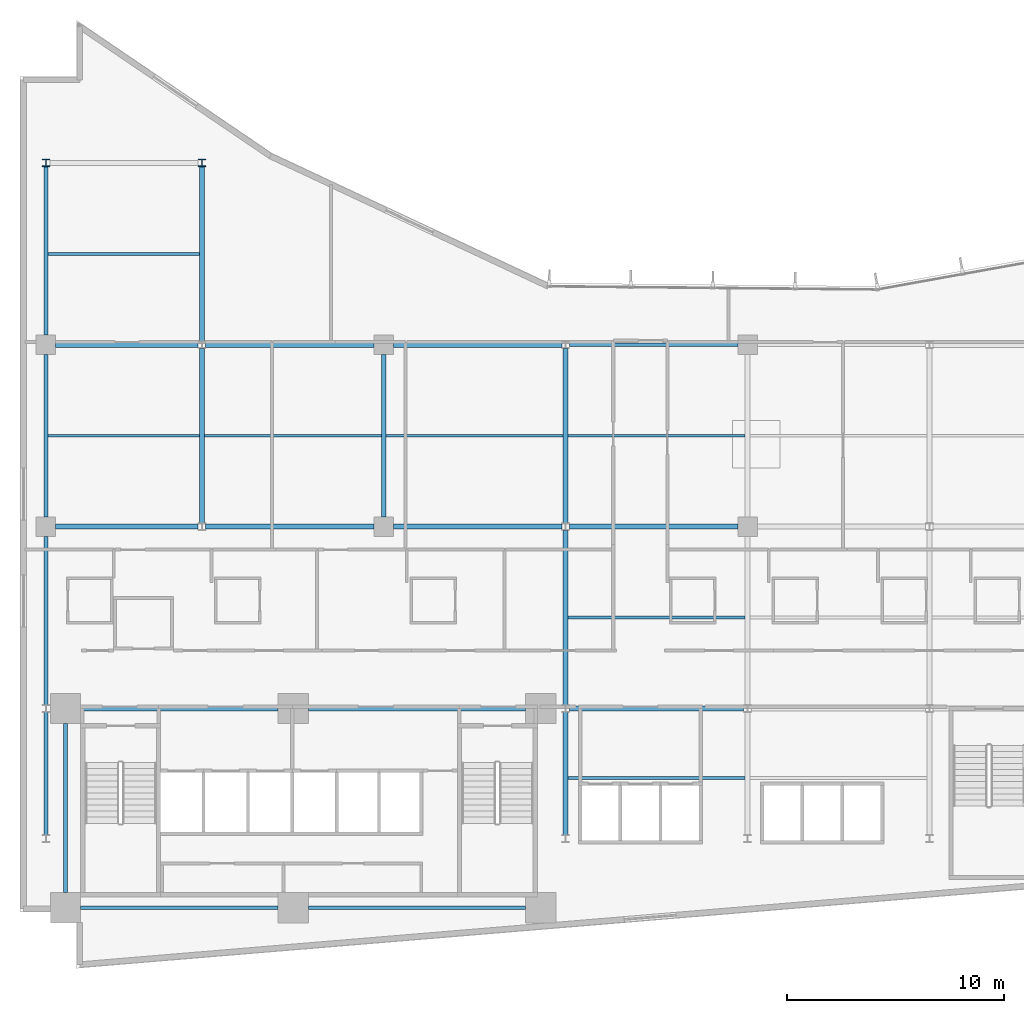
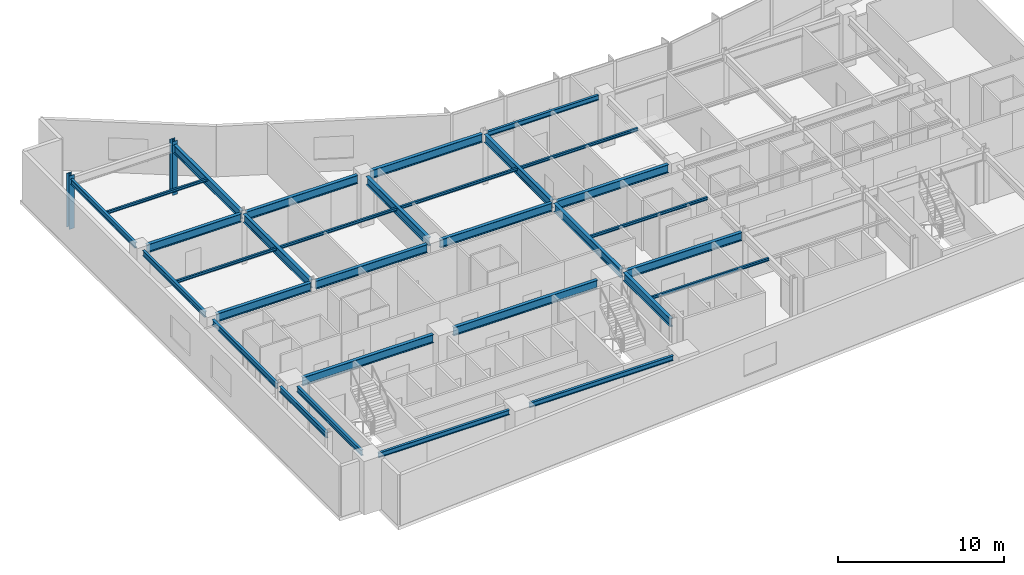
# One storey, part 3 of 19: 31 beams, 2 columns.
"""IFC4 building model written with IfcOpenShell, lengths in metres."""

import ifcopenshell
import ifcopenshell.guid

model = None  # the IFC model being written
_history = None  # IfcOwnerHistory: only IFC2X3 demands one
_inside = {}  # id of a spatial element -> (the spatial element, [elements in it])
_under = {}  # id of a project, library or spatial element -> (it, [spatial elements below it])
_declared = {}  # id of a project -> (the project, [libraries it declares])
_typed = {}  # id of a type object -> (the type object, [elements of that type])
_made_of = {}  # id of a material, layer set ... -> (it, [elements and type objects made of it])


def new_model(schema):
    """Start an empty IFC model of exactly this schema.

    Asked for "IFC4X3", IfcOpenShell would pick the latest addendum, in which some entities
    have other attributes; the version numbers below select the first issue.
    IFC2X3 requires an IfcOwnerHistory on every rooted entity: one is made here for all.
    """
    global model, _history
    if schema == "IFC4X3":
        model = ifcopenshell.file(schema_version=(4, 3, 0, 0))
    else:
        model = ifcopenshell.file(schema=schema)
    _inside.clear()
    _under.clear()
    _declared.clear()
    _typed.clear()
    _made_of.clear()
    _history = None
    if model.schema == "IFC2X3":
        org = make("IfcOrganization", Name="unknown")
        user = make(
            "IfcPersonAndOrganization",
            ThePerson=make("IfcPerson", FamilyName="unknown"),
            TheOrganization=org,
        )
        app = make(
            "IfcApplication",
            ApplicationDeveloper=org,
            Version="unknown",
            ApplicationFullName="unknown",
            ApplicationIdentifier="unknown",
        )
        _history = make(
            "IfcOwnerHistory",
            OwningUser=user,
            OwningApplication=app,
            ChangeAction="ADDED",
            CreationDate=0,
        )
    return model


def make(cls, **values):
    """One entity of the class cls with the attributes given. An attribute that is None is left unset."""
    return model.create_entity(
        cls, **{name: value for name, value in values.items() if value is not None}
    )


def rooted(cls, **values):
    """An entity with a GlobalId (a new one), such as an element, a storey or a relation."""
    return make(cls, GlobalId=ifcopenshell.guid.new(), OwnerHistory=_history, **values)


def si_unit(unit_type, name, prefix=None):
    """IfcSIUnit, for example si_unit("LENGTHUNIT", "METRE", prefix="MILLI")."""
    return make("IfcSIUnit", UnitType=unit_type, Prefix=prefix, Name=name)


def assignment(units):
    """IfcUnitAssignment: the units of a project."""
    return None if units is None else make("IfcUnitAssignment", Units=units)


def point(xyz):
    """IfcCartesianPoint."""
    return None if xyz is None else make("IfcCartesianPoint", Coordinates=xyz)


def direction(xyz):
    """IfcDirection."""
    return None if xyz is None else make("IfcDirection", DirectionRatios=xyz)


def frame(location, z_axis=None, x_axis=None):
    """IfcAxis2Placement3D, a coordinate frame: its origin and axes. An axis left out is left unset."""
    return make(
        "IfcAxis2Placement3D",
        Location=point(location),
        Axis=direction(z_axis),
        RefDirection=direction(x_axis),
    )


def frame_2d(location, x_axis=None):
    """IfcAxis2Placement2D, a coordinate frame in the plane: its origin and x axis."""
    return make(
        "IfcAxis2Placement2D", Location=point(location), RefDirection=direction(x_axis)
    )


def origin():
    """The frame at (0, 0, 0) with its axes left unset."""
    return frame((0.0, 0.0, 0.0))


def origin_2d():
    """The frame at (0, 0) in the plane with its x axis left unset."""
    return frame_2d((0.0, 0.0))


def place(relative_to, where):
    """IfcLocalPlacement: puts the frame where relative to a parent placement (None: the world)."""
    return make(
        "IfcLocalPlacement", PlacementRelTo=relative_to, RelativePlacement=where
    )


def context(
    kind, dimensions, precision=None, world=None, true_north=None, identifier=None
):
    """IfcGeometricRepresentationContext, for example the 3D "Model" context."""
    return make(
        "IfcGeometricRepresentationContext",
        ContextIdentifier=identifier,
        ContextType=kind,
        CoordinateSpaceDimension=dimensions,
        Precision=precision,
        WorldCoordinateSystem=world,
        TrueNorth=true_north,
    )


def subcontext(parent, identifier, kind, view, scale=None):
    """IfcGeometricRepresentationSubContext, for example "Body" below "Model"."""
    return make(
        "IfcGeometricRepresentationSubContext",
        ContextIdentifier=identifier,
        ContextType=kind,
        ParentContext=parent,
        TargetScale=scale,
        TargetView=view,
    )


def project(units=None, contexts=None):
    """IfcProject with its units and contexts."""
    return rooted(
        "IfcProject",
        Name="project",
        RepresentationContexts=contexts,
        UnitsInContext=assignment(units),
    )


def spatial(cls, under=None, at=None, **own):
    """A site, building, storey or space (cls), placed at a placement, below another one or the project."""
    s = rooted(cls, ObjectPlacement=at, **own)
    if under is not None:
        _under.setdefault(under.id(), (under, []))[1].append(s)
    return s


def profile(cls, at=None, kind="AREA", **sizes):
    """A parametric profile (cls). Its sizes go by their IFC names, for example OverallWidth=200.0."""
    return make(cls, ProfileType=kind, Position=at, **sizes)


def i_section(**sizes):
    """IfcIShapeProfileDef."""
    return profile("IfcIShapeProfileDef", **sizes)


def extrude(swept, where, along, depth):
    """IfcExtrudedAreaSolid: the profile swept, set in the frame where, extruded along a direction by depth."""
    return make(
        "IfcExtrudedAreaSolid",
        SweptArea=swept,
        Position=where,
        ExtrudedDirection=direction(along),
        Depth=depth,
    )


def shape(context_of_items, identifier, shape_type, items):
    """IfcShapeRepresentation: the items that make up one representation, for example the "Body"."""
    return make(
        "IfcShapeRepresentation",
        ContextOfItems=context_of_items,
        RepresentationIdentifier=identifier,
        RepresentationType=shape_type,
        Items=items,
    )


def material(Name=None, Category=None):
    """IfcMaterial."""
    return make("IfcMaterial", Name=Name, Category=Category)


def material_profile(
    of_material, cross_section, Name=None, Category=None, Priority=None
):
    """IfcMaterialProfile: a cross section and its material."""
    return make(
        "IfcMaterialProfile",
        Name=Name,
        Material=of_material,
        Profile=cross_section,
        Priority=Priority,
        Category=Category,
    )


def profile_set(profiles, Name=None, composite=None):
    """IfcMaterialProfileSet."""
    return make(
        "IfcMaterialProfileSet",
        Name=Name,
        MaterialProfiles=profiles,
        CompositeProfile=composite,
    )


def made_of(thing, what):
    """Note that an element or type object is made of a material, layer set ...; save() writes the relation."""
    if what is not None:
        _made_of.setdefault(what.id(), (what, []))[1].append(thing)
    return thing


def type_object(cls, material=None, **own):
    """A type object (cls), such as IfcWallType, which elements share."""
    return made_of(rooted(cls, **own), material)


def element(
    cls,
    number,
    at=None,
    inside=None,
    cuts=None,
    type_object=None,
    material=None,
    context=None,
    identifier="Body",
    shape_type=None,
    held_by="IfcProductDefinitionShape",
    body=None,
    shapes=None,
    **own,
):
    """One element of the class cls, such as IfcWall. Its Tag is "e" and its number.

    at: its placement. inside: the storey or other place that contains it. cuts: it is an
    opening in that element (IfcRelVoidsElement). A single representation is given by context,
    identifier, shape_type and body (its items); several are given by shapes. held_by: the class
    of the entity that holds the representations. save() writes the other relations.
    """
    e = rooted(cls, Tag="e%d" % number, ObjectPlacement=at, **own)
    if body is not None:
        shapes = [shape(context, identifier, shape_type, body)]
    if shapes is not None:
        e.Representation = make(held_by, Representations=shapes)
    if inside is not None:
        _inside.setdefault(inside.id(), (inside, []))[1].append(e)
    if cuts is not None:
        rooted(
            "IfcRelVoidsElement", RelatingBuildingElement=cuts, RelatedOpeningElement=e
        )
    if type_object is not None:
        _typed.setdefault(type_object.id(), (type_object, []))[1].append(e)
    return made_of(e, material)


def aggregate(whole, parts):
    """IfcRelAggregates: a whole, such as a stair, and the parts it consists of."""
    return rooted("IfcRelAggregates", RelatingObject=whole, RelatedObjects=parts)


def save(model, path):
    """Write the relations noted so far, then the file.

    IfcRelAggregates (storeys below a building ...), IfcRelContainedInSpatialStructure (elements
    in a storey), IfcRelDefinesByType, IfcRelAssociatesMaterial and IfcRelDeclares: one each for
    every whole, place, type object, material and project.
    """
    for whole, parts in _under.values():
        aggregate(whole, parts)
    for where, things in _inside.values():
        rooted(
            "IfcRelContainedInSpatialStructure",
            RelatedElements=things,
            RelatingStructure=where,
        )
    for kind, things in _typed.values():
        rooted("IfcRelDefinesByType", RelatedObjects=things, RelatingType=kind)
    for what, things in _made_of.values():
        rooted("IfcRelAssociatesMaterial", RelatedObjects=things, RelatingMaterial=what)
    for by, libraries in _declared.values():
        rooted("IfcRelDeclares", RelatingContext=by, RelatedDefinitions=libraries)
    model.write(path)


model = new_model("IFC4")

# Units and contexts
model_context = context("Model", 3, precision=1e-05, world=origin(), true_north=direction((0.0, 1.0)))
body_context = subcontext(model_context, "Body", "Model", "MODEL_VIEW")
ifc_project = project(units=[si_unit("LENGTHUNIT", "METRE"), si_unit("AREAUNIT", "SQUARE_METRE"), si_unit("VOLUMEUNIT", "CUBIC_METRE"), si_unit("PLANEANGLEUNIT", "RADIAN"), si_unit("MASSUNIT", "GRAM", prefix="KILO")], contexts=[model_context])

# Site, building, storey
site_placement = place(None, origin())
site = spatial("IfcSite", under=ifc_project, at=site_placement, CompositionType="ELEMENT")
building_placement = place(site_placement, origin())
building = spatial("IfcBuilding", under=site, at=building_placement, Name="Varnakote Quay Hospital", CompositionType="ELEMENT")
storey_placement = place(building_placement, frame((0.0, 0.0, 54.10009765625)))
storey = spatial("IfcBuildingStorey", under=building, at=storey_placement, Name="L13", CompositionType="ELEMENT", Elevation=54.10009765625)

# Columns
ifc_material_1 = material(Name="Structural steel AS/NZS 3678 Grade 350 (fy 340 MPa)", Category="steel")
ifc_material_profile_1 = material_profile(ifc_material_1, i_section(OverallWidth=0.35009765625, OverallDepth=0.340087890625, WebThickness=0.01611328125, FlangeThickness=0.028076171875, at=origin_2d()), Name="350WC197")
ifc_profile_set_1 = profile_set([ifc_material_profile_1], Name="Structural steel AS/NZS 3678 Grade 350 (fy 340 MPa)")
column_type = type_object("IfcColumnType", Name="COL-STL-350WC197", PredefinedType="COLUMN", material=ifc_profile_set_1)
for number, where, z_axis, x_axis, name in (
    (1, (1.199951171875, 37.199951171875, 0.0), (0.0, 0.0, 1.0), (1.0, 0.0, 0.0), "L13 Structural Column C-1-37"),
    (2, (8.39990234375, 37.199951171875, 0.0), (0.0, 0.0, 1.0), (1.0, 0.0, 0.0), "L13 Structural Column C-8-37"),
):
    element("IfcColumn", number, at=place(storey_placement, frame(where, z_axis=z_axis, x_axis=x_axis)), inside=storey, type_object=column_type, Name=name, PredefinedType="COLUMN", context=body_context, shape_type="SweptSolid", body=[
        extrude(i_section(OverallWidth=0.35009765625, OverallDepth=0.340087890625, WebThickness=0.01611328125, FlangeThickness=0.028076171875, at=origin_2d()), origin(), (0.0, 0.0, 1.0), 3.949951171875),
    ])

# Beams
ifc_material_2 = material(Name="Structural steel AS/NZS 3679.1 Grade 350 L0 (fy 340 MPa)", Category="steel")
ifc_material_profile_2 = material_profile(ifc_material_2, i_section(OverallWidth=0.22900390625, OverallDepth=0.612060546875, WebThickness=0.011962890625, FlangeThickness=0.01953125, FilletRadius=0.013916015625, at=origin_2d()), Name="610UB125")
ifc_profile_set_2 = profile_set([ifc_material_profile_2], Name="Structural steel AS/NZS 3679.1 Grade 350 L0 (fy 340 MPa)")
beam_type_1 = type_object("IfcBeamType", Name="BM-STL-610UB125", PredefinedType="BEAM", material=ifc_profile_set_2)
beam_1_placement = place(storey_placement, frame((2.800048828125, 12.0, 3.40380859375), z_axis=(1.0, 0.0, 0.0), x_axis=(0.0, 1.0, 0.0)))
element("IfcBeam", 3, at=beam_1_placement, inside=storey, type_object=beam_type_1, Name="L13 Primary Floor Beam", PredefinedType="BEAM", context=body_context, shape_type="SweptSolid", body=[
    extrude(i_section(OverallWidth=0.22900390625, OverallDepth=0.612060546875, WebThickness=0.011962890625, FlangeThickness=0.01953125, FilletRadius=0.013916015625, at=origin_2d()), origin(), (0.0, 0.0, 1.0), 9.119873046875),
])
beam_2_placement = place(storey_placement, frame((13.320068359375, 12.0, 3.40380859375), z_axis=(1.0, 0.0, 0.0), x_axis=(0.0, 1.0, 0.0)))
element("IfcBeam", 4, at=beam_2_placement, inside=storey, type_object=beam_type_1, Name="L13 Primary Floor Beam", PredefinedType="BEAM", context=body_context, shape_type="SweptSolid", body=[
    extrude(i_section(OverallWidth=0.22900390625, OverallDepth=0.612060546875, WebThickness=0.011962890625, FlangeThickness=0.01953125, FilletRadius=0.013916015625, at=origin_2d()), origin(), (0.0, 0.0, 1.0), 10.030029296875),
])
beam_3_placement = place(storey_placement, frame((25.375, 12.0, 3.40380859375), z_axis=(1.0, 0.0, 0.0), x_axis=(0.0, 1.0, 0.0)))
element("IfcBeam", 5, at=beam_3_placement, inside=storey, type_object=beam_type_1, Name="L13 Primary Floor Beam", PredefinedType="BEAM", context=body_context, shape_type="SweptSolid", body=[
    extrude(i_section(OverallWidth=0.22900390625, OverallDepth=0.612060546875, WebThickness=0.011962890625, FlangeThickness=0.01953125, FilletRadius=0.013916015625, at=origin_2d()), origin(), (0.0, 0.0, 1.0), 8.050048828125),
])
beam_4_placement = place(storey_placement, frame((1.64990234375, 20.39990234375, 3.40380859375), z_axis=(1.0, 0.0, 0.0), x_axis=(0.0, 1.0, 0.0)))
element("IfcBeam", 6, at=beam_4_placement, inside=storey, type_object=beam_type_1, Name="L13 Primary Floor Beam", PredefinedType="BEAM", context=body_context, shape_type="SweptSolid", body=[
    extrude(i_section(OverallWidth=0.22900390625, OverallDepth=0.612060546875, WebThickness=0.011962890625, FlangeThickness=0.01953125, FilletRadius=0.013916015625, at=origin_2d()), origin(), (0.0, 0.0, 1.0), 6.5751953125),
])
beam_5_placement = place(storey_placement, frame((8.574951171875, 20.39990234375, 3.40380859375), z_axis=(1.0, 0.0, 0.0), x_axis=(0.0, 1.0, 0.0)))
element("IfcBeam", 7, at=beam_5_placement, inside=storey, type_object=beam_type_1, Name="L13 Primary Floor Beam", PredefinedType="BEAM", context=body_context, shape_type="SweptSolid", body=[
    extrude(i_section(OverallWidth=0.22900390625, OverallDepth=0.612060546875, WebThickness=0.011962890625, FlangeThickness=0.01953125, FilletRadius=0.013916015625, at=origin_2d()), origin(), (0.0, 0.0, 1.0), 7.775146484375),
])
for number, where, z_axis, x_axis, name in (
    (8, (17.25, 20.39990234375, 3.40380859375), (1.0, 0.0, 0.0), (0.0, 1.0, 0.0), "L13 Primary Floor Beam"),
    (9, (25.375, 20.39990234375, 3.40380859375), (1.0, 0.0, 0.0), (0.0, 1.0, 0.0), "L13 Primary Floor Beam"),
):
    element("IfcBeam", number, at=place(storey_placement, frame(where, z_axis=z_axis, x_axis=x_axis)), inside=storey, type_object=beam_type_1, Name=name, PredefinedType="BEAM", context=body_context, shape_type="SweptSolid", body=[
        extrude(i_section(OverallWidth=0.22900390625, OverallDepth=0.612060546875, WebThickness=0.011962890625, FlangeThickness=0.01953125, FilletRadius=0.013916015625, at=origin_2d()), origin(), (0.0, 0.0, 1.0), 7.77490234375),
    ])
beam_6_placement = place(storey_placement, frame((1.64990234375, 28.800048828125, 3.40380859375), z_axis=(1.0, 0.0, 0.0), x_axis=(0.0, 1.0, 0.0)))
element("IfcBeam", 10, at=beam_6_placement, inside=storey, type_object=beam_type_1, Name="L13 Primary Floor Beam", PredefinedType="BEAM", context=body_context, shape_type="SweptSolid", body=[
    extrude(i_section(OverallWidth=0.22900390625, OverallDepth=0.612060546875, WebThickness=0.011962890625, FlangeThickness=0.01953125, FilletRadius=0.013916015625, at=origin_2d()), origin(), (0.0, 0.0, 1.0), 6.5751953125),
])
beam_7_placement = place(storey_placement, frame((8.574951171875, 28.800048828125, 3.40380859375), z_axis=(1.0, 0.0, 0.0), x_axis=(0.0, 1.0, 0.0)))
element("IfcBeam", 11, at=beam_7_placement, inside=storey, type_object=beam_type_1, Name="L13 Primary Floor Beam", PredefinedType="BEAM", context=body_context, shape_type="SweptSolid", body=[
    extrude(i_section(OverallWidth=0.22900390625, OverallDepth=0.612060546875, WebThickness=0.011962890625, FlangeThickness=0.01953125, FilletRadius=0.013916015625, at=origin_2d()), origin(), (0.0, 0.0, 1.0), 7.775146484375),
])
beam_8_placement = place(storey_placement, frame((17.25, 28.800048828125, 3.40380859375), z_axis=(1.0, 0.0, 0.0), x_axis=(0.0, 1.0, 0.0)))
element("IfcBeam", 12, at=beam_8_placement, inside=storey, type_object=beam_type_1, Name="L13 Primary Floor Beam", PredefinedType="BEAM", context=body_context, shape_type="SweptSolid", body=[
    extrude(i_section(OverallWidth=0.22900390625, OverallDepth=0.612060546875, WebThickness=0.011962890625, FlangeThickness=0.01953125, FilletRadius=0.013916015625, at=origin_2d()), origin(), (0.0, 0.0, 1.0), 7.77490234375),
])
beam_9_placement = place(storey_placement, frame((8.39990234375, 20.570068359375, 3.40380859375), z_axis=(0.0, 1.0, 0.0), x_axis=(-1.0, 0.0, 0.0)))
element("IfcBeam", 13, at=beam_9_placement, inside=storey, type_object=beam_type_1, Name="L13 Primary Tie Beam", PredefinedType="BEAM", context=body_context, shape_type="SweptSolid", body=[
    extrude(i_section(OverallWidth=0.22900390625, OverallDepth=0.612060546875, WebThickness=0.011962890625, FlangeThickness=0.01953125, FilletRadius=0.013916015625, at=origin_2d()), origin(), (0.0, 0.0, 1.0), 8.059814453125),
])
beam_10_placement = place(storey_placement, frame((8.39990234375, 28.969970703125, 3.40380859375), z_axis=(0.0, 1.0, 0.0), x_axis=(-1.0, 0.0, 0.0)))
element("IfcBeam", 14, at=beam_10_placement, inside=storey, type_object=beam_type_1, Name="L13 Primary Tie Beam", PredefinedType="BEAM", context=body_context, shape_type="SweptSolid", body=[
    extrude(i_section(OverallWidth=0.22900390625, OverallDepth=0.612060546875, WebThickness=0.011962890625, FlangeThickness=0.01953125, FilletRadius=0.013916015625, at=origin_2d()), origin(), (0.0, 0.0, 1.0), 8.06005859375),
])
beam_11_placement = place(storey_placement, frame((16.800048828125, 20.85009765625, 3.40380859375), z_axis=(0.0, 1.0, 0.0), x_axis=(-1.0, 0.0, 0.0)))
element("IfcBeam", 15, at=beam_11_placement, inside=storey, type_object=beam_type_1, Name="L13 Primary Tie Beam", PredefinedType="BEAM", context=body_context, shape_type="SweptSolid", body=[
    extrude(i_section(OverallWidth=0.22900390625, OverallDepth=0.612060546875, WebThickness=0.011962890625, FlangeThickness=0.01953125, FilletRadius=0.013916015625, at=origin_2d()), origin(), (0.0, 0.0, 1.0), 7.5),
])
beam_12_placement = place(storey_placement, frame((25.199951171875, 6.169921875, 3.40380859375), z_axis=(0.0, 1.0, 0.0), x_axis=(-1.0, 0.0, 0.0)))
element("IfcBeam", 16, at=beam_12_placement, inside=storey, type_object=beam_type_1, Name="L13 Primary Tie Beam", PredefinedType="BEAM", context=body_context, shape_type="SweptSolid", body=[
    extrude(i_section(OverallWidth=0.22900390625, OverallDepth=0.612060546875, WebThickness=0.011962890625, FlangeThickness=0.01953125, FilletRadius=0.013916015625, at=origin_2d()), origin(), (0.0, 0.0, 1.0), 5.66015625),
])
beam_13_placement = place(storey_placement, frame((25.199951171875, 12.169921875, 3.40380859375), z_axis=(0.0, 1.0, 0.0), x_axis=(-1.0, 0.0, 0.0)))
element("IfcBeam", 17, at=beam_13_placement, inside=storey, type_object=beam_type_1, Name="L13 Primary Tie Beam", PredefinedType="BEAM", context=body_context, shape_type="SweptSolid", body=[
    extrude(i_section(OverallWidth=0.22900390625, OverallDepth=0.612060546875, WebThickness=0.011962890625, FlangeThickness=0.01953125, FilletRadius=0.013916015625, at=origin_2d()), origin(), (0.0, 0.0, 1.0), 8.06005859375),
])
beam_14_placement = place(storey_placement, frame((25.199951171875, 20.570068359375, 3.40380859375), z_axis=(0.0, 1.0, 0.0), x_axis=(-1.0, 0.0, 0.0)))
element("IfcBeam", 18, at=beam_14_placement, inside=storey, type_object=beam_type_1, Name="L13 Primary Tie Beam", PredefinedType="BEAM", context=body_context, shape_type="SweptSolid", body=[
    extrude(i_section(OverallWidth=0.22900390625, OverallDepth=0.612060546875, WebThickness=0.011962890625, FlangeThickness=0.01953125, FilletRadius=0.013916015625, at=origin_2d()), origin(), (0.0, 0.0, 1.0), 8.059814453125),
])
ifc_material_3 = material(Name="Structural steel AS/NZS 3679.1 Grade 350 L0 (fy 340 MPa)", Category="steel")
ifc_material_profile_3 = material_profile(ifc_material_3, i_section(OverallWidth=0.134033203125, OverallDepth=0.20703125, WebThickness=0.00634765625, FlangeThickness=0.009521484375, FilletRadius=0.0087890625, at=origin_2d()), Name="200UB29.8")
ifc_profile_set_3 = profile_set([ifc_material_profile_3], Name="Structural steel AS/NZS 3679.1 Grade 350 L0 (fy 340 MPa)")
beam_type_2 = type_object("IfcBeamType", Name="JST-STL-200UB29-8", PredefinedType="JOIST", material=ifc_profile_set_3)
for number, where, z_axis, x_axis, name in (
    (19, (25.314453125, 8.800048828125, 3.6064453125), (1.0, 0.0, 0.0), (0.0, 1.0, 0.0), "L13 Composite Floor Joist"),
    (20, (25.314453125, 16.199951171875, 3.6064453125), (1.0, 0.0, 0.0), (0.0, 1.0, 0.0), "L13 Composite Floor Joist"),
):
    element("IfcBeam", number, at=place(storey_placement, frame(where, z_axis=z_axis, x_axis=x_axis)), inside=storey, type_object=beam_type_2, Name=name, PredefinedType="JOIST", context=body_context, shape_type="SweptSolid", body=[
        extrude(i_section(OverallWidth=0.134033203125, OverallDepth=0.20703125, WebThickness=0.00634765625, FlangeThickness=0.009521484375, FilletRadius=0.0087890625, at=origin_2d()), origin(), (0.0, 0.0, 1.0), 8.171142578125),
    ])
beam_15_placement = place(storey_placement, frame((1.2890625, 24.60009765625, 3.6064453125), z_axis=(1.0, 0.0, 0.0), x_axis=(0.0, 1.0, 0.0)))
element("IfcBeam", 21, at=beam_15_placement, inside=storey, type_object=beam_type_2, Name="L13 Composite Floor Joist", PredefinedType="JOIST", context=body_context, shape_type="SweptSolid", body=[
    extrude(i_section(OverallWidth=0.134033203125, OverallDepth=0.20703125, WebThickness=0.00634765625, FlangeThickness=0.009521484375, FilletRadius=0.0087890625, at=origin_2d()), origin(), (0.0, 0.0, 1.0), 6.996337890625),
])
beam_16_placement = place(storey_placement, frame((8.514404296875, 24.60009765625, 3.6064453125), z_axis=(1.0, 0.0, 0.0), x_axis=(0.0, 1.0, 0.0)))
element("IfcBeam", 22, at=beam_16_placement, inside=storey, type_object=beam_type_2, Name="L13 Composite Floor Joist", PredefinedType="JOIST", context=body_context, shape_type="SweptSolid", body=[
    extrude(i_section(OverallWidth=0.134033203125, OverallDepth=0.20703125, WebThickness=0.00634765625, FlangeThickness=0.009521484375, FilletRadius=0.0087890625, at=origin_2d()), origin(), (0.0, 0.0, 1.0), 8.171142578125),
])
beam_17_placement = place(storey_placement, frame((16.91455078125, 24.60009765625, 3.6064453125), z_axis=(1.0, 0.0, 0.0), x_axis=(0.0, 1.0, 0.0)))
element("IfcBeam", 23, at=beam_17_placement, inside=storey, type_object=beam_type_2, Name="L13 Composite Floor Joist", PredefinedType="JOIST", context=body_context, shape_type="SweptSolid", body=[
    extrude(i_section(OverallWidth=0.134033203125, OverallDepth=0.20703125, WebThickness=0.00634765625, FlangeThickness=0.009521484375, FilletRadius=0.0087890625, at=origin_2d()), origin(), (0.0, 0.0, 1.0), 8.1708984375),
])
beam_18_placement = place(storey_placement, frame((25.314453125, 24.60009765625, 3.6064453125), z_axis=(1.0, 0.0, 0.0), x_axis=(0.0, 1.0, 0.0)))
element("IfcBeam", 24, at=beam_18_placement, inside=storey, type_object=beam_type_2, Name="L13 Composite Floor Joist", PredefinedType="JOIST", context=body_context, shape_type="SweptSolid", body=[
    extrude(i_section(OverallWidth=0.134033203125, OverallDepth=0.20703125, WebThickness=0.00634765625, FlangeThickness=0.009521484375, FilletRadius=0.0087890625, at=origin_2d()), origin(), (0.0, 0.0, 1.0), 8.171142578125),
])
beam_19_placement = place(storey_placement, frame((1.2890625, 33.0, 3.6064453125), z_axis=(1.0, 0.0, 0.0), x_axis=(0.0, 1.0, 0.0)))
element("IfcBeam", 25, at=beam_19_placement, inside=storey, type_object=beam_type_2, Name="L13 Composite Floor Joist", PredefinedType="JOIST", context=body_context, shape_type="SweptSolid", body=[
    extrude(i_section(OverallWidth=0.134033203125, OverallDepth=0.20703125, WebThickness=0.00634765625, FlangeThickness=0.009521484375, FilletRadius=0.0087890625, at=origin_2d()), origin(), (0.0, 0.0, 1.0), 6.996337890625),
])
ifc_material_4 = material(Name="Structural steel AS/NZS 3679.1 Grade 350 L0 (fy 340 MPa)", Category="steel")
ifc_material_profile_4 = material_profile(ifc_material_4, i_section(OverallWidth=0.172119140625, OverallDepth=0.35888671875, WebThickness=0.008056640625, FlangeThickness=0.012939453125, FilletRadius=0.011474609375, at=origin_2d()), Name="360UB56.7")
ifc_profile_set_4 = profile_set([ifc_material_profile_4], Name="Structural steel AS/NZS 3679.1 Grade 350 L0 (fy 340 MPa)")
beam_type_3 = type_object("IfcBeamType", Name="SPN-STL-360UB56-7", PredefinedType="SPANDREL", material=ifc_profile_set_4)
beam_20_placement = place(storey_placement, frame((2.800048828125, 2.800048828125, 3.530517578125), z_axis=(1.0, 0.0, 0.0), x_axis=(0.0, 1.0, 0.0)))
element("IfcBeam", 26, at=beam_20_placement, inside=storey, type_object=beam_type_3, Name="L13 Perimeter Spandrel Beam", PredefinedType="SPANDREL", context=body_context, shape_type="SweptSolid", body=[
    extrude(i_section(OverallWidth=0.172119140625, OverallDepth=0.35888671875, WebThickness=0.008056640625, FlangeThickness=0.012939453125, FilletRadius=0.011474609375, at=origin_2d()), origin(), (0.0, 0.0, 1.0), 9.119873046875),
])
beam_21_placement = place(storey_placement, frame((13.320068359375, 2.800048828125, 3.530517578125), z_axis=(1.0, 0.0, 0.0), x_axis=(0.0, 1.0, 0.0)))
element("IfcBeam", 27, at=beam_21_placement, inside=storey, type_object=beam_type_3, Name="L13 Perimeter Spandrel Beam", PredefinedType="SPANDREL", context=body_context, shape_type="SweptSolid", body=[
    extrude(i_section(OverallWidth=0.172119140625, OverallDepth=0.35888671875, WebThickness=0.008056640625, FlangeThickness=0.012939453125, FilletRadius=0.011474609375, at=origin_2d()), origin(), (0.0, 0.0, 1.0), 10.030029296875),
])
beam_22_placement = place(storey_placement, frame((25.375, 28.800048828125, 3.530517578125), z_axis=(1.0, 0.0, 0.0), x_axis=(0.0, 1.0, 0.0)))
element("IfcBeam", 28, at=beam_22_placement, inside=storey, type_object=beam_type_3, Name="L13 Perimeter Spandrel Beam", PredefinedType="SPANDREL", context=body_context, shape_type="SweptSolid", body=[
    extrude(i_section(OverallWidth=0.172119140625, OverallDepth=0.35888671875, WebThickness=0.008056640625, FlangeThickness=0.012939453125, FilletRadius=0.011474609375, at=origin_2d()), origin(), (0.0, 0.0, 1.0), 7.77490234375),
])
ifc_material_5 = material(Name="Structural steel AS/NZS 3679.1 Grade 350 L0 (fy 340 MPa)", Category="steel")
ifc_material_profile_5 = material_profile(ifc_material_5, i_section(OverallWidth=0.177978515625, OverallDepth=0.403076171875, WebThickness=0.007568359375, FlangeThickness=0.010986328125, FilletRadius=0.011474609375, at=origin_2d()), Name="410UB53.7")
ifc_profile_set_5 = profile_set([ifc_material_profile_5], Name="Structural steel AS/NZS 3679.1 Grade 350 L0 (fy 340 MPa)")
beam_type_4 = type_object("IfcBeamType", Name="SPN-STL-410UB53-7", PredefinedType="SPANDREL", material=ifc_profile_set_5)
beam_23_placement = place(storey_placement, frame((1.199951171875, 6.169921875, 3.50830078125), z_axis=(0.0, 1.0, 0.0), x_axis=(-1.0, 0.0, 0.0)))
element("IfcBeam", 29, at=beam_23_placement, inside=storey, type_object=beam_type_4, Name="L13 Perimeter Spandrel Beam", PredefinedType="SPANDREL", context=body_context, shape_type="SweptSolid", body=[
    extrude(i_section(OverallWidth=0.177978515625, OverallDepth=0.403076171875, WebThickness=0.007568359375, FlangeThickness=0.010986328125, FilletRadius=0.011474609375, at=origin_2d()), origin(), (0.0, 0.0, 1.0), 5.66015625),
])
beam_24_placement = place(storey_placement, frame((1.199951171875, 12.169921875, 3.50830078125), z_axis=(0.0, 1.0, 0.0), x_axis=(-1.0, 0.0, 0.0)))
element("IfcBeam", 30, at=beam_24_placement, inside=storey, type_object=beam_type_4, Name="L13 Perimeter Spandrel Beam", PredefinedType="SPANDREL", context=body_context, shape_type="SweptSolid", body=[
    extrude(i_section(OverallWidth=0.177978515625, OverallDepth=0.403076171875, WebThickness=0.007568359375, FlangeThickness=0.010986328125, FilletRadius=0.011474609375, at=origin_2d()), origin(), (0.0, 0.0, 1.0), 7.780029296875),
])
beam_25_placement = place(storey_placement, frame((1.199951171875, 20.85009765625, 3.50830078125), z_axis=(0.0, 1.0, 0.0), x_axis=(-1.0, 0.0, 0.0)))
element("IfcBeam", 31, at=beam_25_placement, inside=storey, type_object=beam_type_4, Name="L13 Perimeter Spandrel Beam", PredefinedType="SPANDREL", context=body_context, shape_type="SweptSolid", body=[
    extrude(i_section(OverallWidth=0.177978515625, OverallDepth=0.403076171875, WebThickness=0.007568359375, FlangeThickness=0.010986328125, FilletRadius=0.011474609375, at=origin_2d()), origin(), (0.0, 0.0, 1.0), 7.5),
])
beam_26_placement = place(storey_placement, frame((1.199951171875, 29.25, 3.50830078125), z_axis=(0.0, 1.0, 0.0), x_axis=(-1.0, 0.0, 0.0)))
element("IfcBeam", 32, at=beam_26_placement, inside=storey, type_object=beam_type_4, Name="L13 Perimeter Spandrel Beam", PredefinedType="SPANDREL", context=body_context, shape_type="SweptSolid", body=[
    extrude(i_section(OverallWidth=0.177978515625, OverallDepth=0.403076171875, WebThickness=0.007568359375, FlangeThickness=0.010986328125, FilletRadius=0.011474609375, at=origin_2d()), origin(), (0.0, 0.0, 1.0), 7.780029296875),
])
beam_27_placement = place(storey_placement, frame((2.10009765625, 3.5, 3.50830078125), z_axis=(0.0, 1.0, 0.0), x_axis=(-1.0, 0.0, 0.0)))
element("IfcBeam", 33, at=beam_27_placement, inside=storey, type_object=beam_type_4, Name="L13 Perimeter Spandrel Beam", PredefinedType="SPANDREL", context=body_context, shape_type="SweptSolid", body=[
    extrude(i_section(OverallWidth=0.177978515625, OverallDepth=0.403076171875, WebThickness=0.007568359375, FlangeThickness=0.010986328125, FilletRadius=0.011474609375, at=origin_2d()), origin(), (0.0, 0.0, 1.0), 7.800048828125),
])

save(model, "model.ifc")
